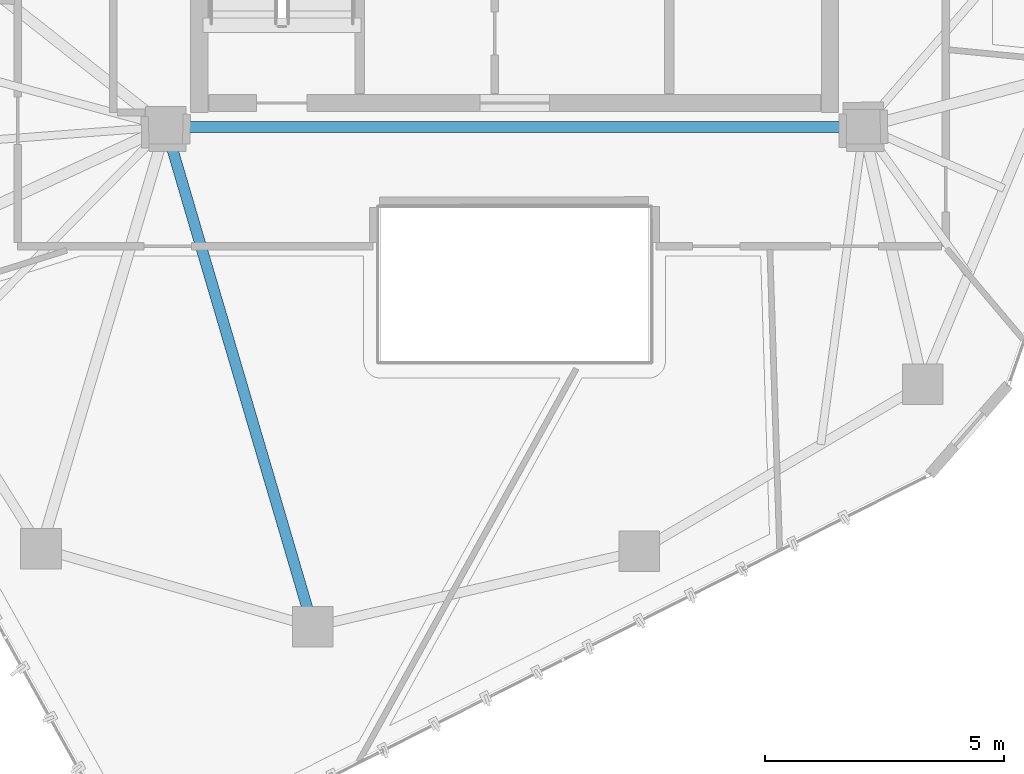
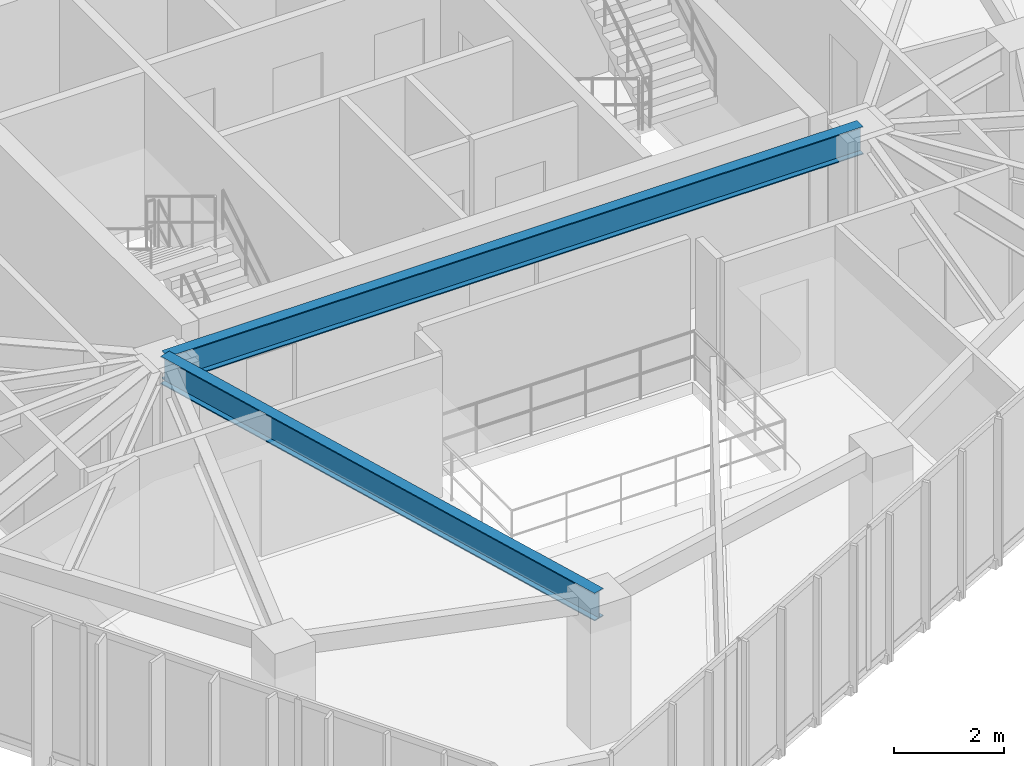
# One storey, part 5 of 21: 2 beams.
"""IFC4 building model written with IfcOpenShell, lengths in metres."""

import ifcopenshell
import ifcopenshell.guid

model = None  # the IFC model being written
_history = None  # IfcOwnerHistory: only IFC2X3 demands one
_inside = {}  # id of a spatial element -> (the spatial element, [elements in it])
_under = {}  # id of a project, library or spatial element -> (it, [spatial elements below it])
_declared = {}  # id of a project -> (the project, [libraries it declares])
_typed = {}  # id of a type object -> (the type object, [elements of that type])
_made_of = {}  # id of a material, layer set ... -> (it, [elements and type objects made of it])


def new_model(schema):
    """Start an empty IFC model of exactly this schema.

    Asked for "IFC4X3", IfcOpenShell would pick the latest addendum, in which some entities
    have other attributes; the version numbers below select the first issue.
    IFC2X3 requires an IfcOwnerHistory on every rooted entity: one is made here for all.
    """
    global model, _history
    if schema == "IFC4X3":
        model = ifcopenshell.file(schema_version=(4, 3, 0, 0))
    else:
        model = ifcopenshell.file(schema=schema)
    _inside.clear()
    _under.clear()
    _declared.clear()
    _typed.clear()
    _made_of.clear()
    _history = None
    if model.schema == "IFC2X3":
        org = make("IfcOrganization", Name="unknown")
        user = make(
            "IfcPersonAndOrganization",
            ThePerson=make("IfcPerson", FamilyName="unknown"),
            TheOrganization=org,
        )
        app = make(
            "IfcApplication",
            ApplicationDeveloper=org,
            Version="unknown",
            ApplicationFullName="unknown",
            ApplicationIdentifier="unknown",
        )
        _history = make(
            "IfcOwnerHistory",
            OwningUser=user,
            OwningApplication=app,
            ChangeAction="ADDED",
            CreationDate=0,
        )
    return model


def make(cls, **values):
    """One entity of the class cls with the attributes given. An attribute that is None is left unset."""
    return model.create_entity(
        cls, **{name: value for name, value in values.items() if value is not None}
    )


def rooted(cls, **values):
    """An entity with a GlobalId (a new one), such as an element, a storey or a relation."""
    return make(cls, GlobalId=ifcopenshell.guid.new(), OwnerHistory=_history, **values)


def si_unit(unit_type, name, prefix=None):
    """IfcSIUnit, for example si_unit("LENGTHUNIT", "METRE", prefix="MILLI")."""
    return make("IfcSIUnit", UnitType=unit_type, Prefix=prefix, Name=name)


def assignment(units):
    """IfcUnitAssignment: the units of a project."""
    return None if units is None else make("IfcUnitAssignment", Units=units)


def point(xyz):
    """IfcCartesianPoint."""
    return None if xyz is None else make("IfcCartesianPoint", Coordinates=xyz)


def direction(xyz):
    """IfcDirection."""
    return None if xyz is None else make("IfcDirection", DirectionRatios=xyz)


def frame(location, z_axis=None, x_axis=None):
    """IfcAxis2Placement3D, a coordinate frame: its origin and axes. An axis left out is left unset."""
    return make(
        "IfcAxis2Placement3D",
        Location=point(location),
        Axis=direction(z_axis),
        RefDirection=direction(x_axis),
    )


def frame_2d(location, x_axis=None):
    """IfcAxis2Placement2D, a coordinate frame in the plane: its origin and x axis."""
    return make(
        "IfcAxis2Placement2D", Location=point(location), RefDirection=direction(x_axis)
    )


def origin():
    """The frame at (0, 0, 0) with its axes left unset."""
    return frame((0.0, 0.0, 0.0))


def origin_2d():
    """The frame at (0, 0) in the plane with its x axis left unset."""
    return frame_2d((0.0, 0.0))


def place(relative_to, where):
    """IfcLocalPlacement: puts the frame where relative to a parent placement (None: the world)."""
    return make(
        "IfcLocalPlacement", PlacementRelTo=relative_to, RelativePlacement=where
    )


def context(
    kind, dimensions, precision=None, world=None, true_north=None, identifier=None
):
    """IfcGeometricRepresentationContext, for example the 3D "Model" context."""
    return make(
        "IfcGeometricRepresentationContext",
        ContextIdentifier=identifier,
        ContextType=kind,
        CoordinateSpaceDimension=dimensions,
        Precision=precision,
        WorldCoordinateSystem=world,
        TrueNorth=true_north,
    )


def subcontext(parent, identifier, kind, view, scale=None):
    """IfcGeometricRepresentationSubContext, for example "Body" below "Model"."""
    return make(
        "IfcGeometricRepresentationSubContext",
        ContextIdentifier=identifier,
        ContextType=kind,
        ParentContext=parent,
        TargetScale=scale,
        TargetView=view,
    )


def project(units=None, contexts=None):
    """IfcProject with its units and contexts."""
    return rooted(
        "IfcProject",
        Name="project",
        RepresentationContexts=contexts,
        UnitsInContext=assignment(units),
    )


def spatial(cls, under=None, at=None, **own):
    """A site, building, storey or space (cls), placed at a placement, below another one or the project."""
    s = rooted(cls, ObjectPlacement=at, **own)
    if under is not None:
        _under.setdefault(under.id(), (under, []))[1].append(s)
    return s


def profile(cls, at=None, kind="AREA", **sizes):
    """A parametric profile (cls). Its sizes go by their IFC names, for example OverallWidth=200.0."""
    return make(cls, ProfileType=kind, Position=at, **sizes)


def i_section(**sizes):
    """IfcIShapeProfileDef."""
    return profile("IfcIShapeProfileDef", **sizes)


def extrude(swept, where, along, depth):
    """IfcExtrudedAreaSolid: the profile swept, set in the frame where, extruded along a direction by depth."""
    return make(
        "IfcExtrudedAreaSolid",
        SweptArea=swept,
        Position=where,
        ExtrudedDirection=direction(along),
        Depth=depth,
    )


def shape(context_of_items, identifier, shape_type, items):
    """IfcShapeRepresentation: the items that make up one representation, for example the "Body"."""
    return make(
        "IfcShapeRepresentation",
        ContextOfItems=context_of_items,
        RepresentationIdentifier=identifier,
        RepresentationType=shape_type,
        Items=items,
    )


def material(Name=None, Category=None):
    """IfcMaterial."""
    return make("IfcMaterial", Name=Name, Category=Category)


def material_profile(
    of_material, cross_section, Name=None, Category=None, Priority=None
):
    """IfcMaterialProfile: a cross section and its material."""
    return make(
        "IfcMaterialProfile",
        Name=Name,
        Material=of_material,
        Profile=cross_section,
        Priority=Priority,
        Category=Category,
    )


def profile_set(profiles, Name=None, composite=None):
    """IfcMaterialProfileSet."""
    return make(
        "IfcMaterialProfileSet",
        Name=Name,
        MaterialProfiles=profiles,
        CompositeProfile=composite,
    )


def made_of(thing, what):
    """Note that an element or type object is made of a material, layer set ...; save() writes the relation."""
    if what is not None:
        _made_of.setdefault(what.id(), (what, []))[1].append(thing)
    return thing


def type_object(cls, material=None, **own):
    """A type object (cls), such as IfcWallType, which elements share."""
    return made_of(rooted(cls, **own), material)


def element(
    cls,
    number,
    at=None,
    inside=None,
    cuts=None,
    type_object=None,
    material=None,
    context=None,
    identifier="Body",
    shape_type=None,
    held_by="IfcProductDefinitionShape",
    body=None,
    shapes=None,
    **own,
):
    """One element of the class cls, such as IfcWall. Its Tag is "e" and its number.

    at: its placement. inside: the storey or other place that contains it. cuts: it is an
    opening in that element (IfcRelVoidsElement). A single representation is given by context,
    identifier, shape_type and body (its items); several are given by shapes. held_by: the class
    of the entity that holds the representations. save() writes the other relations.
    """
    e = rooted(cls, Tag="e%d" % number, ObjectPlacement=at, **own)
    if body is not None:
        shapes = [shape(context, identifier, shape_type, body)]
    if shapes is not None:
        e.Representation = make(held_by, Representations=shapes)
    if inside is not None:
        _inside.setdefault(inside.id(), (inside, []))[1].append(e)
    if cuts is not None:
        rooted(
            "IfcRelVoidsElement", RelatingBuildingElement=cuts, RelatedOpeningElement=e
        )
    if type_object is not None:
        _typed.setdefault(type_object.id(), (type_object, []))[1].append(e)
    return made_of(e, material)


def aggregate(whole, parts):
    """IfcRelAggregates: a whole, such as a stair, and the parts it consists of."""
    return rooted("IfcRelAggregates", RelatingObject=whole, RelatedObjects=parts)


def save(model, path):
    """Write the relations noted so far, then the file.

    IfcRelAggregates (storeys below a building ...), IfcRelContainedInSpatialStructure (elements
    in a storey), IfcRelDefinesByType, IfcRelAssociatesMaterial and IfcRelDeclares: one each for
    every whole, place, type object, material and project.
    """
    for whole, parts in _under.values():
        aggregate(whole, parts)
    for where, things in _inside.values():
        rooted(
            "IfcRelContainedInSpatialStructure",
            RelatedElements=things,
            RelatingStructure=where,
        )
    for kind, things in _typed.values():
        rooted("IfcRelDefinesByType", RelatedObjects=things, RelatingType=kind)
    for what, things in _made_of.values():
        rooted("IfcRelAssociatesMaterial", RelatedObjects=things, RelatingMaterial=what)
    for by, libraries in _declared.values():
        rooted("IfcRelDeclares", RelatingContext=by, RelatedDefinitions=libraries)
    model.write(path)


model = new_model("IFC4")

# Units and contexts
model_context = context("Model", 3, precision=1e-05, world=origin(), true_north=direction((0.0, 1.0)))
body_context = subcontext(model_context, "Body", "Model", "MODEL_VIEW")
ifc_project = project(units=[si_unit("LENGTHUNIT", "METRE"), si_unit("AREAUNIT", "SQUARE_METRE"), si_unit("VOLUMEUNIT", "CUBIC_METRE"), si_unit("PLANEANGLEUNIT", "RADIAN"), si_unit("MASSUNIT", "GRAM", prefix="KILO")], contexts=[model_context])

# Site, building, storey
site_placement = place(None, origin())
site = spatial("IfcSite", under=ifc_project, at=site_placement, CompositionType="ELEMENT")
building_placement = place(site_placement, origin())
building = spatial("IfcBuilding", under=site, at=building_placement, Name="Talar Marvaseh", CompositionType="ELEMENT")
storey_placement = place(building_placement, frame((0.0, 0.0, 264.60009765625)))
storey = spatial("IfcBuildingStorey", under=building, at=storey_placement, Name="L70", CompositionType="ELEMENT", Elevation=264.60009765625)

# Beams
ifc_material = material(Name="Steel S355", Category="steel")
ifc_material_profile = material_profile(ifc_material, i_section(OverallWidth=0.22998046875, OverallDepth=0.616943359375, WebThickness=0.01318359375, FlangeThickness=0.022216796875, at=origin_2d()), Name="W610x140")
ifc_profile_set = profile_set([ifc_material_profile], Name="Steel S355")
beam_type = type_object("IfcBeamType", Name="Zone 4 Radial Floor Girder W610x140", PredefinedType="BEAM", material=ifc_profile_set)
beam_1_placement = place(storey_placement, frame((18.699951171875, 25.5, 2.831298828125), z_axis=(1.0, 0.0, 0.0), x_axis=(0.0, 1.0, 0.0)))
element("IfcBeam", 1, at=beam_1_placement, inside=storey, type_object=beam_type, Name="L70 Zone 4 Radial Floor Girder W610x140", PredefinedType="BEAM", context=body_context, shape_type="SweptSolid", body=[
    extrude(i_section(OverallWidth=0.22998046875, OverallDepth=0.616943359375, WebThickness=0.01318359375, FlangeThickness=0.022216796875, at=origin_2d()), origin(), (0.0, 0.0, 1.0), 14.60009765625),
])
beam_2_placement = place(storey_placement, frame((21.77587890625, 15.0400390625, 2.831298828125), z_axis=(-0.28212146763, 0.959378693479, 0.0), x_axis=(-0.959378693479, -0.28212146763, 0.0)))
element("IfcBeam", 2, at=beam_2_placement, inside=storey, type_object=beam_type, Name="L70 Zone 4 Radial Floor Girder W610x140", PredefinedType="BEAM", context=body_context, shape_type="SweptSolid", body=[
    extrude(i_section(OverallWidth=0.22998046875, OverallDepth=0.616943359375, WebThickness=0.01318359375, FlangeThickness=0.022216796875, at=origin_2d()), origin(), (0.0, 0.0, 1.0), 10.90283203125),
])

save(model, "model.ifc")
